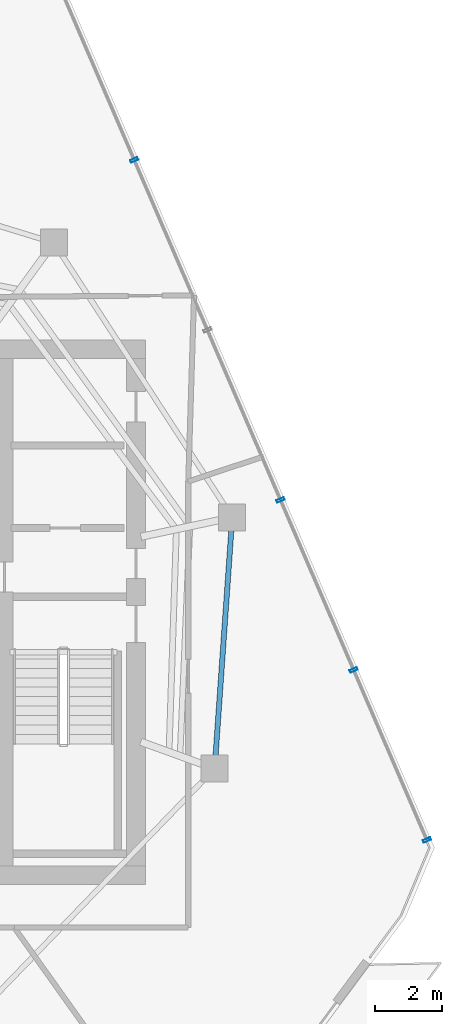
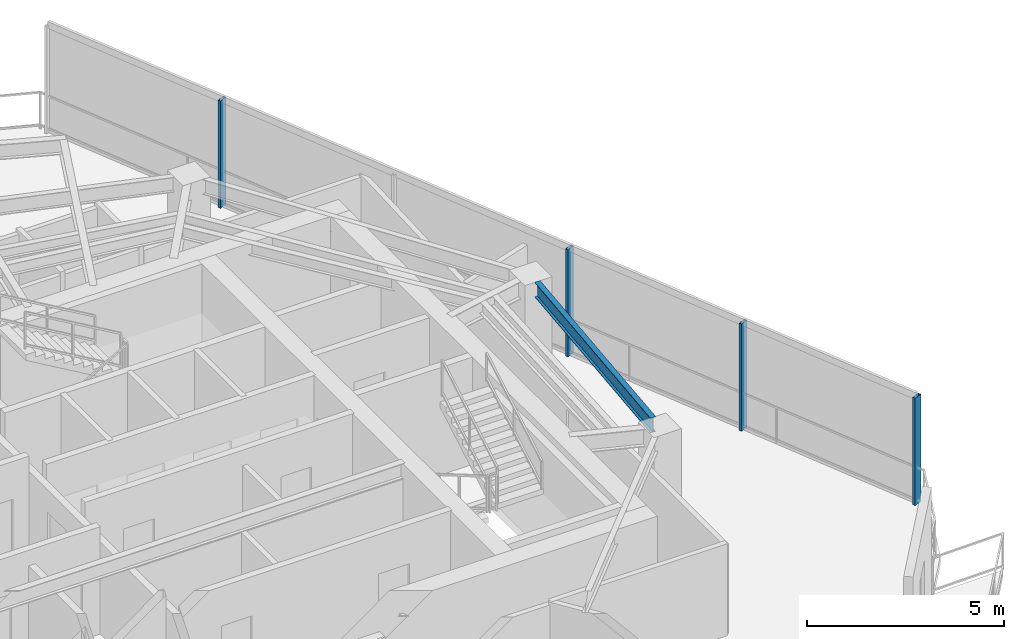
# One storey, part 10 of 18: 4 members, 1 beam, 1 element without a shape of its own.
"""IFC4 building model written with IfcOpenShell, lengths in metres."""

from ifc_helpers import new_model, si_unit, direction, frame, origin, origin_2d, place, context, subcontext, project, spatial, hollow_rectangle, i_section, extrude, material, layer, layer_set, material_profile, profile_set, type_object, element, aggregate, save


model = new_model("IFC4")

# Units and contexts
model_context = context("Model", 3, precision=1e-05, world=origin(), true_north=direction((0.0, 1.0)))
body_context = subcontext(model_context, "Body", "Model", "MODEL_VIEW")
ifc_project = project(units=[si_unit("LENGTHUNIT", "METRE"), si_unit("AREAUNIT", "SQUARE_METRE"), si_unit("VOLUMEUNIT", "CUBIC_METRE"), si_unit("PLANEANGLEUNIT", "RADIAN"), si_unit("MASSUNIT", "GRAM", prefix="KILO")], contexts=[model_context])

# Site, building, storey
site_placement = place(None, origin())
site = spatial("IfcSite", under=ifc_project, at=site_placement, CompositionType="ELEMENT")
building_placement = place(site_placement, origin())
building = spatial("IfcBuilding", under=site, at=building_placement, Name="Qarnah Convention Tower", CompositionType="ELEMENT")
storey_placement = place(building_placement, frame((0.0, 0.0, 267.89990234375)))
storey = spatial("IfcBuildingStorey", under=building, at=storey_placement, Name="L72", CompositionType="ELEMENT", Elevation=267.89990234375)

# Beam
ifc_material_1 = material(Name="Structural steel S355JR", Category="steel")
ifc_material_profile_1 = material_profile(ifc_material_1, i_section(OverallWidth=0.154052734375, OverallDepth=0.4599609375, WebThickness=0.009033203125, FlangeThickness=0.014892578125, at=origin_2d()), Name="W460X68")
ifc_profile_set_1 = profile_set([ifc_material_profile_1], Name="Structural steel S355JR")
beam_type = type_object("IfcBeamType", Name="BM-SPN-W460B", PredefinedType="SPANDREL", material=ifc_profile_set_1)
beam_placement = place(storey_placement, frame((49.9599609375, 22.155029296875, 3.090087890625), z_axis=(0.069820410922, 0.997559577278, 0.0), x_axis=(-0.997559577278, 0.069820410922, 0.0)))
element("IfcBeam", 1, at=beam_placement, inside=storey, type_object=beam_type, Name="L72 spandrel BM-L72-SPN-09", PredefinedType="SPANDREL", context=body_context, shape_type="SweptSolid", body=[
    extrude(i_section(OverallWidth=0.154052734375, OverallDepth=0.4599609375, WebThickness=0.009033203125, FlangeThickness=0.014892578125, at=origin_2d()), origin(), (0.0, 0.0, 1.0), 6.689208984375),
])

# Curtain wall, members
ifc_material_2 = material(Name="Tempered Low-E dark glass", Category="glass")
ifc_layer = layer(ifc_material_2, 0.176025390625)
ifc_layer_set = layer_set([ifc_layer], Name="Tempered Low-E dark glass")
curtain_wall_type = type_object("IfcCurtainWallType", Name="CWS-05", PredefinedType="NOTDEFINED", material=ifc_layer_set)
curtain_wall_placement = place(storey_placement, origin())
curtain_wall = element("IfcCurtainWall", 2, at=curtain_wall_placement, inside=storey, type_object=curtain_wall_type, Name="L72 unitised curtain wall CW-L72-F1", PredefinedType="NOTDEFINED")
ifc_material_3 = material(Name="Black anodised aluminium", Category="aluminium")
ifc_material_profile_2 = material_profile(ifc_material_3, hollow_rectangle(XDim=0.080078125, YDim=0.239990234375, WallThickness=0.0048828125, at=origin_2d()), Name="MUL-80X240")
ifc_profile_set_2 = profile_set([ifc_material_profile_2], Name="Black anodised aluminium")
member_type = type_object("IfcMemberType", Name="MUL-T5", PredefinedType="MULLION", material=ifc_profile_set_2)
member_1_placement = place(storey_placement, frame((47.549072265625, 39.814697265625, 0.0), z_axis=(0.0, 0.0, 1.0), x_axis=(0.395211974146, -0.918589949592, 0.0)))
member_1 = element("IfcMember", 3, at=member_1_placement, type_object=member_type, Name="CW-L72-F1 mullion 2", PredefinedType="MULLION", context=body_context, shape_type="SweptSolid", body=[
    extrude(hollow_rectangle(XDim=0.080078125, YDim=0.239990234375, WallThickness=0.0048828125, at=origin_2d()), origin(), (0.0, 0.0, 1.0), 3.320068359375),
])
member_2_placement = place(storey_placement, frame((51.886962890625, 29.731689453125, 0.0), z_axis=(0.0, 0.0, 1.0), x_axis=(0.395211974146, -0.918589949592, 0.0)))
member_2 = element("IfcMember", 4, at=member_2_placement, type_object=member_type, Name="CW-L72-F1 mullion 4", PredefinedType="MULLION", context=body_context, shape_type="SweptSolid", body=[
    extrude(hollow_rectangle(XDim=0.080078125, YDim=0.239990234375, WallThickness=0.0048828125, at=origin_2d()), origin(), (0.0, 0.0, 1.0), 3.320068359375),
])
member_3_placement = place(storey_placement, frame((54.055908203125, 24.6904296875, 0.0), z_axis=(0.0, 0.0, 1.0), x_axis=(0.395211974146, -0.918589949592, 0.0)))
member_3 = element("IfcMember", 5, at=member_3_placement, type_object=member_type, Name="CW-L72-F1 mullion 5", PredefinedType="MULLION", context=body_context, shape_type="SweptSolid", body=[
    extrude(hollow_rectangle(XDim=0.080078125, YDim=0.239990234375, WallThickness=0.0048828125, at=origin_2d()), origin(), (0.0, 0.0, 1.0), 3.320068359375),
])
member_4_placement = place(storey_placement, frame((56.22509765625, 19.64892578125, 0.0), z_axis=(0.0, 0.0, 1.0), x_axis=(0.395211974146, -0.918589949592, 0.0)))
member_4 = element("IfcMember", 6, at=member_4_placement, type_object=member_type, Name="CW-L72-F1 mullion 6", PredefinedType="MULLION", context=body_context, shape_type="SweptSolid", body=[
    extrude(hollow_rectangle(XDim=0.080078125, YDim=0.239990234375, WallThickness=0.0048828125, at=origin_2d()), origin(), (0.0, 0.0, 1.0), 3.320068359375),
])
aggregate(curtain_wall, [member_1, member_2, member_3, member_4])

save(model, "model.ifc")
